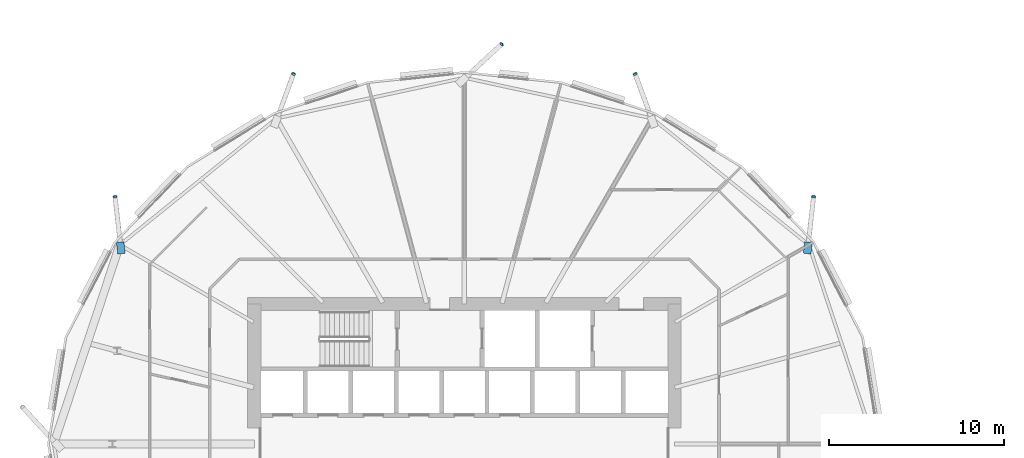
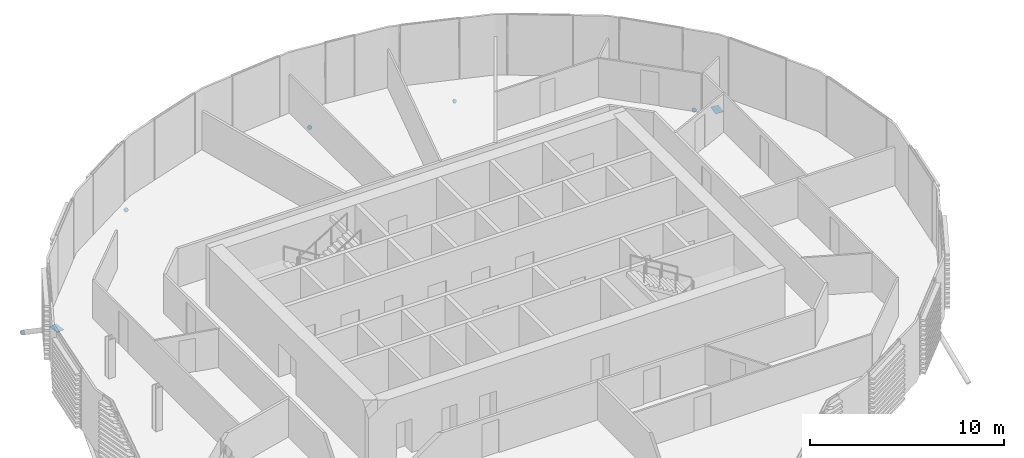
# One storey, part 31 of 42: 7 discrete accessories.
"""IFC4 building model written with IfcOpenShell, lengths in metres."""

from ifc_helpers import new_model, si_unit, direction, frame, origin, origin_2d, place, context, subcontext, project, spatial, polyline, rectangle, circle, outline, extrude, material, material_profile, profile_set, type_object, element, save


model = new_model("IFC4")

# Units and contexts
model_context = context("Model", 3, precision=1e-05, world=origin(), true_north=direction((0.0, 1.0)))
body_context = subcontext(model_context, "Body", "Model", "MODEL_VIEW")
ifc_project = project(units=[si_unit("LENGTHUNIT", "METRE"), si_unit("AREAUNIT", "SQUARE_METRE"), si_unit("VOLUMEUNIT", "CUBIC_METRE"), si_unit("PLANEANGLEUNIT", "RADIAN"), si_unit("MASSUNIT", "GRAM", prefix="KILO")], contexts=[model_context])

# Site, building, storey
site_placement = place(None, origin())
site = spatial("IfcSite", under=ifc_project, at=site_placement, CompositionType="ELEMENT")
building_placement = place(site_placement, origin())
building = spatial("IfcBuilding", under=site, at=building_placement, Name="Rimbun Link Towers", CompositionType="ELEMENT")
storey_placement = place(building_placement, frame((0.0, 0.0, 85.39990234375)))
storey = spatial("IfcBuildingStorey", under=building, at=storey_placement, Name="L20", CompositionType="ELEMENT", Elevation=85.39990234375)

# Discrete accessories
ifc_material_1 = material(Name="Steel S355J2H", Category="steel")
ifc_material_profile_1 = material_profile(ifc_material_1, circle(Radius=0.1240234375, at=origin_2d()), Name="PL D248")
ifc_profile_set_1 = profile_set([ifc_material_profile_1], Name="Steel S355J2H")
discrete_accessory_type_1 = type_object("IfcDiscreteAccessoryType", Name="Link foot sealing plate D248X20", PredefinedType="BRACKET", material=ifc_profile_set_1)
for number, where, z_axis, x_axis, name in (
    (1, (-11.7978515625, 14.105712890625, -2.541015625), (0.097640875168, 0.829947438925, -0.549229922818), (-0.993150604323, 0.116841247567, 0.0), "Link foot sealing plate T1 L20 02"),
    (2, (-21.985595703125, 21.121826171875, -2.6640625), (-0.294306882953, 0.79708114133, -0.527299831957), (-0.938096474139, -0.346374082759, 0.0), "Link foot sealing plate T1 L20 04"),
    (3, (-29.629638671875, 22.82568359375, -2.677001953125), (0.635803253097, 0.586895310551, -0.501306411095), (-0.678280102733, 0.734803444627, 0.0), "Link foot sealing plate T1 L20 06"),
    (4, (-41.514404296875, 21.121826171875, -2.6640625), (0.294306882953, 0.79708114133, -0.527299831957), (-0.938096474139, 0.346374082759, 0.0), "Link foot sealing plate T1 L20 08"),
    (5, (-51.7021484375, 14.105712890625, -2.541015625), (-0.097640875168, 0.829947438925, -0.549229922818), (-0.993150604323, -0.116841247567, 0.0), "Link foot sealing plate T1 L20 10"),
):
    element("IfcDiscreteAccessory", number, at=place(storey_placement, frame(where, z_axis=z_axis, x_axis=x_axis)), inside=storey, type_object=discrete_accessory_type_1, Name=name, PredefinedType="BRACKET", context=body_context, shape_type="SweptSolid", body=[
        extrude(circle(Radius=0.1240234375, at=origin_2d()), origin(), (0.0, 0.0, 1.0), 0.02001953125),
    ])
ifc_material_2 = material(Name="Steel S355J2H", Category="steel")
ifc_material_profile_2 = material_profile(ifc_material_2, rectangle(XDim=0.43310546875, YDim=0.43310546875, at=origin_2d()), Name="PL 433x433")
ifc_profile_set_2 = profile_set([ifc_material_profile_2], Name="Steel S355J2H")
discrete_accessory_type_2 = type_object("IfcDiscreteAccessoryType", Name="Link head end plate 433X20", PredefinedType="BRACKET", material=ifc_profile_set_2)
discrete_accessory_1_placement = place(storey_placement, frame((0.0, 0.0, -0.63330078125)))
element("IfcDiscreteAccessory", 6, at=discrete_accessory_1_placement, inside=storey, type_object=discrete_accessory_type_2, Name="Link head end plate T1 L20 02", PredefinedType="BRACKET", context=body_context, shape_type="SweptSolid", body=[
    extrude(outline(polyline([(-11.947509765625, 10.843017578125), (-11.873779296875, 11.4990234375), (-12.303955078125, 11.547607421875), (-12.3779296875, 10.8916015625), (-11.947509765625, 10.843017578125)])), origin(), (0.0, 0.0, 1.0), 0.02001953125),
])
discrete_accessory_2_placement = place(storey_placement, frame((0.0, 0.0, -0.63330078125)))
element("IfcDiscreteAccessory", 7, at=discrete_accessory_2_placement, inside=storey, type_object=discrete_accessory_type_2, Name="Link head end plate T1 L20 10", PredefinedType="BRACKET", context=body_context, shape_type="SweptSolid", body=[
    extrude(outline(polyline([(-51.1220703125, 10.8916015625), (-51.196044921875, 11.547607421875), (-51.626220703125, 11.4990234375), (-51.552490234375, 10.843017578125), (-51.1220703125, 10.8916015625)])), origin(), (0.0, 0.0, 1.0), 0.02001953125),
])

save(model, "model.ifc")
